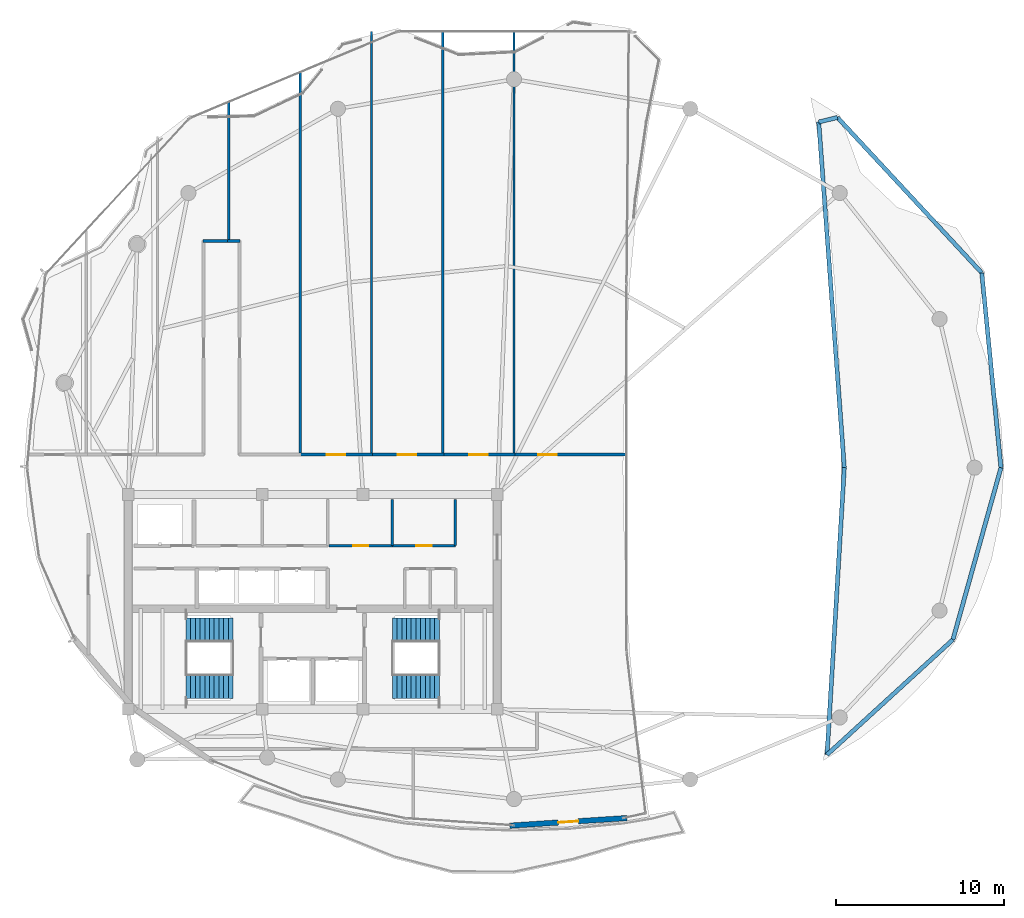
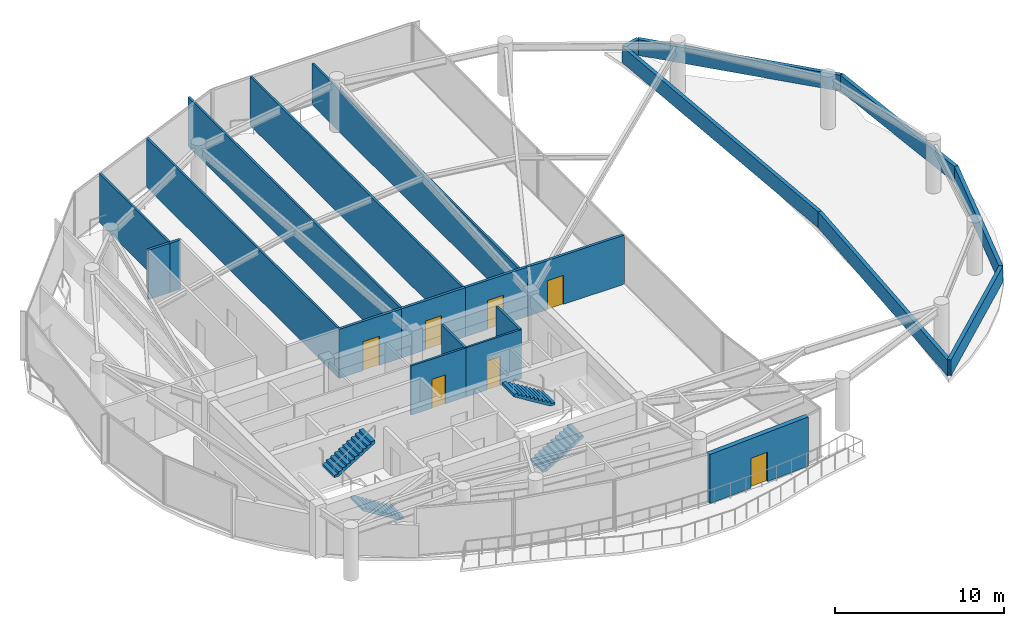
# One storey, part 19 of 22: 23 walls, 7 doors, 4 stair flights, 7 openings, 2 elements without a shape of their own.
"""IFC4 building model written with IfcOpenShell, lengths in metres."""

from ifc_helpers import new_model, si_unit, direction, frame, frame_2d, origin, place, context, subcontext, project, spatial, polyline, rectangle, outline, extrude, material, layer, layer_set, type_object, element, fill, aggregate, save


model = new_model("IFC4")

# Units and contexts
model_context = context("Model", 3, precision=1e-05, world=origin(), true_north=direction((0.0, 1.0)))
body_context = subcontext(model_context, "Body", "Model", "MODEL_VIEW")
ifc_project = project(units=[si_unit("LENGTHUNIT", "METRE"), si_unit("AREAUNIT", "SQUARE_METRE"), si_unit("VOLUMEUNIT", "CUBIC_METRE"), si_unit("PLANEANGLEUNIT", "RADIAN"), si_unit("MASSUNIT", "GRAM", prefix="KILO")], contexts=[model_context])

# Site, building, storey
site_placement = place(None, origin())
site = spatial("IfcSite", under=ifc_project, at=site_placement, CompositionType="ELEMENT")
building_placement = place(site_placement, origin())
building = spatial("IfcBuilding", under=site, at=building_placement, Name="Kazevale Care Tower and Concert Hall", CompositionType="ELEMENT")
storey_placement = place(building_placement, frame((0.0, 0.0, 273.800048828125)))
storey = spatial("IfcBuildingStorey", under=building, at=storey_placement, Name="L72", CompositionType="ELEMENT", Elevation=273.800048828125)

# Wall, opening, door
ifc_material_1 = material(Name="Acoustic Gypsum on Steel Stud", Category="steel")
ifc_layer_1 = layer(ifc_material_1, 0.139892578125)
ifc_layer_set_1 = layer_set([ifc_layer_1], Name="Acoustic Gypsum on Steel Stud")
wall_type_1 = type_object("IfcWallType", Name="Acoustic Care & Suite Partition 140", PredefinedType="PARTITIONING", material=ifc_layer_set_1)
wall_1_placement = place(storey_placement, frame((33.97998046875, 33.35009765625, 0.0), z_axis=(0.0, 0.0, 1.0), x_axis=(1.0, 0.0, 0.0)))
wall_1 = element("IfcWall", 1, at=wall_1_placement, inside=storey, type_object=wall_type_1, Name="wall:L72:c_rpm1_s", PredefinedType="PARTITIONING", context=body_context, shape_type="SweptSolid", body=[
    extrude(rectangle(XDim=3.77001953125, YDim=0.139892578125, at=frame_2d((1.885009765625, 0.0))), origin(), (0.0, 0.0, 1.0), 3.56005859375),
])
opening_1_placement = place(wall_1_placement, frame((1.425048828125, 0.0, 0.0)))
opening_1 = element("IfcOpeningElement", 2, at=opening_1_placement, cuts=wall_1, Name="Opening ID-900", PredefinedType="OPENING", context=body_context, shape_type="SweptSolid", body=[
    extrude(rectangle(XDim=0.919921875, YDim=2.10009765625, at=frame_2d((0.4599609375, 1.050048828125))), frame((0.0, 0.079833984375, 0.0), z_axis=(0.0, -1.0, 0.0), x_axis=(1.0, 0.0, 0.0)), (0.0, 0.0, 1.0), 0.159912109375),
])
ifc_material_2 = material(Name="Oak Timber Fire Leaf", Category="wood")
door_type_1 = type_object("IfcDoorType", Name="Bathroom & Service Door 920x2100", OperationType="NOTDEFINED", PredefinedType="DOOR", material=ifc_material_2)
door_1_placement = place(opening_1_placement, origin())
door_1 = element("IfcDoor", 3, at=door_1_placement, inside=storey, type_object=door_type_1, Name="door:L72:d_rpm1", OperationType="SINGLE_SWING_LEFT", OverallHeight=2.10009765625, OverallWidth=0.919921875, PredefinedType="DOOR", context=body_context, shape_type="SweptSolid", body=[
    extrude(rectangle(XDim=0.919921875, YDim=2.10009765625, at=frame_2d((0.4599609375, 1.050048828125))), frame((0.0, 0.02490234375, 0.0), z_axis=(0.0, -1.0, 0.0), x_axis=(1.0, 0.0, 0.0)), (0.0, 0.0, 1.0), 0.050048828125),
])
fill(opening_1, door_1)

wall_2_placement = place(storey_placement, frame((37.75, 33.35009765625, 0.0), z_axis=(0.0, 0.0, 1.0), x_axis=(1.0, 0.0, 0.0)))
wall_2 = element("IfcWall", 4, at=wall_2_placement, inside=storey, type_object=wall_type_1, Name="wall:L72:c_rpm2_s", PredefinedType="PARTITIONING", context=body_context, shape_type="SweptSolid", body=[
    extrude(rectangle(XDim=3.77001953125, YDim=0.139892578125, at=frame_2d((1.885009765625, 0.0))), origin(), (0.0, 0.0, 1.0), 3.56005859375),
])
opening_2_placement = place(wall_2_placement, frame((1.425048828125, 0.0, 0.0)))
opening_2 = element("IfcOpeningElement", 5, at=opening_2_placement, cuts=wall_2, Name="Opening ID-900", PredefinedType="OPENING", context=body_context, shape_type="SweptSolid", body=[
    extrude(rectangle(XDim=0.919921875, YDim=2.10009765625, at=frame_2d((0.4599609375, 1.050048828125))), frame((0.0, 0.079833984375, 0.0), z_axis=(0.0, -1.0, 0.0), x_axis=(1.0, 0.0, 0.0)), (0.0, 0.0, 1.0), 0.159912109375),
])
door_2_placement = place(opening_2_placement, origin())
door_2 = element("IfcDoor", 6, at=door_2_placement, inside=storey, type_object=door_type_1, Name="door:L72:d_rpm2", OperationType="SINGLE_SWING_RIGHT", OverallHeight=2.10009765625, OverallWidth=0.919921875, PredefinedType="DOOR", context=body_context, shape_type="SweptSolid", body=[
    extrude(rectangle(XDim=0.919921875, YDim=2.10009765625, at=frame_2d((0.4599609375, 1.050048828125))), frame((0.0, 0.02490234375, 0.0), z_axis=(0.0, -1.0, 0.0), x_axis=(1.0, 0.0, 0.0)), (0.0, 0.0, 1.0), 0.050048828125),
])
fill(opening_2, door_2)

# Walls
for number, where, z_axis, x_axis, name in (
    (7, (37.75, 33.35009765625, 0.0), (0.0, 0.0, 1.0), (0.0, 1.0, 0.0), "wall:L72:c_rpm_m"),
    (8, (41.5, 33.35009765625, 0.0), (0.0, 0.0, 1.0), (0.0, 1.0, 0.0), "wall:L72:c_rpm_e"),
):
    element("IfcWall", number, at=place(storey_placement, frame(where, z_axis=z_axis, x_axis=x_axis)), inside=storey, type_object=wall_type_1, Name=name, PredefinedType="PARTITIONING", context=body_context, shape_type="SweptSolid", body=[
        extrude(rectangle(XDim=2.75, YDim=0.139892578125, at=frame_2d((1.375, 0.0))), origin(), (0.0, 0.0, 1.0), 3.56005859375),
    ])
wall_3_placement = place(storey_placement, frame((28.0, 59.787109375, 0.0), z_axis=(0.0, 0.0, 1.0), x_axis=(0.0, -1.0, 0.0)))
element("IfcWall", 9, at=wall_3_placement, inside=storey, type_object=wall_type_1, Name="wall:L72:auto_019", PredefinedType="PARTITIONING", context=body_context, shape_type="SweptSolid", body=[
    extrude(rectangle(XDim=8.317138671875, YDim=0.139892578125, at=frame_2d((4.15869140625, 0.0))), origin(), (0.0, 0.0, 1.0), 3.56005859375),
])
wall_4_placement = place(storey_placement, frame((32.25, 61.558349609375, 0.0), z_axis=(0.0, 0.0, 1.0), x_axis=(0.0, -1.0, 0.0)))
element("IfcWall", 10, at=wall_4_placement, inside=storey, type_object=wall_type_1, Name="wall:L72:auto_020", PredefinedType="PARTITIONING", context=body_context, shape_type="SweptSolid", body=[
    extrude(rectangle(XDim=22.813232421875, YDim=0.139892578125, at=frame_2d((11.40673828125, 0.0))), origin(), (0.0, 0.0, 1.0), 3.56005859375),
])
wall_5_placement = place(storey_placement, frame((36.5, 63.98193359375, 0.0), z_axis=(0.0, 0.0, 1.0), x_axis=(0.0, -1.0, 0.0)))
element("IfcWall", 11, at=wall_5_placement, inside=storey, type_object=wall_type_1, Name="wall:L72:auto_021", PredefinedType="PARTITIONING", context=body_context, shape_type="SweptSolid", body=[
    extrude(rectangle(XDim=25.23681640625, YDim=0.139892578125, at=frame_2d((12.618408203125, 0.0))), origin(), (0.0, 0.0, 1.0), 3.56005859375),
])
wall_6_placement = place(storey_placement, frame((40.75, 63.981689453125, 0.0), z_axis=(0.0, 0.0, 1.0), x_axis=(0.0, -1.0, 0.0)))
element("IfcWall", 12, at=wall_6_placement, inside=storey, type_object=wall_type_1, Name="wall:L72:auto_022", PredefinedType="PARTITIONING", context=body_context, shape_type="SweptSolid", body=[
    extrude(rectangle(XDim=25.236572265625, YDim=0.139892578125, at=frame_2d((12.6181640625, 0.0))), origin(), (0.0, 0.0, 1.0), 3.56005859375),
])
wall_7_placement = place(storey_placement, frame((45.0, 63.987548828125, 0.0), z_axis=(0.0, 0.0, 1.0), x_axis=(0.0, -1.0, 0.0)))
element("IfcWall", 13, at=wall_7_placement, inside=storey, type_object=wall_type_1, Name="wall:L72:auto_023", PredefinedType="PARTITIONING", context=body_context, shape_type="SweptSolid", body=[
    extrude(rectangle(XDim=25.242431640625, YDim=0.139892578125, at=frame_2d((12.62109375, 0.0))), origin(), (0.0, 0.0, 1.0), 3.005859375),
])
ifc_material_3 = material(Name="Concrete C40 and Acoustic Gypsum", Category="concrete")
ifc_layer_2 = layer(ifc_material_3, 0.179931640625)
ifc_layer_set_2 = layer_set([ifc_layer_2], Name="Concrete C40 and Acoustic Gypsum")
wall_type_2 = type_object("IfcWallType", Name="Fire-Rated Corridor & Party Wall 180", PredefinedType="PARTITIONING", material=ifc_layer_set_2)
wall_8_placement = place(storey_placement, frame((26.469970703125, 51.5, 0.0), z_axis=(0.0, 0.0, 1.0), x_axis=(1.0, 0.0, 0.0)))
element("IfcWall", 14, at=wall_8_placement, inside=storey, type_object=wall_type_2, Name="wall:L72:auto_005", PredefinedType="PARTITIONING", context=body_context, shape_type="SweptSolid", body=[
    extrude(rectangle(XDim=1.594970703125, YDim=0.179931640625, at=frame_2d((0.79736328125, 0.0))), origin(), (0.0, 0.0, 1.0), 3.56005859375),
])
wall_9_placement = place(storey_placement, frame((27.93505859375, 51.5, 0.0), z_axis=(0.0, 0.0, 1.0), x_axis=(1.0, 0.0, 0.0)))
element("IfcWall", 15, at=wall_9_placement, inside=storey, type_object=wall_type_2, Name="wall:L72:auto_008", PredefinedType="PARTITIONING", context=body_context, shape_type="SweptSolid", body=[
    extrude(rectangle(XDim=0.744873046875, YDim=0.179931640625, at=frame_2d((0.37255859375, 0.0))), origin(), (0.0, 0.0, 1.0), 3.56005859375),
])

# Wall, opening, door
wall_10_placement = place(storey_placement, frame((32.18505859375, 38.77490234375, 0.0), z_axis=(0.0, 0.0, 1.0), x_axis=(1.0, 0.0, 0.0)))
wall_10 = element("IfcWall", 16, at=wall_10_placement, inside=storey, type_object=wall_type_2, Name="wall:L72:auto_009", PredefinedType="PARTITIONING", context=body_context, shape_type="SweptSolid", body=[
    extrude(rectangle(XDim=4.3798828125, YDim=0.179931640625, at=frame_2d((2.18994140625, 0.0))), origin(), (0.0, 0.0, 1.0), 3.56005859375),
])
opening_3_placement = place(wall_10_placement, frame((1.639892578125, 0.0, 0.0)))
opening_3 = element("IfcOpeningElement", 17, at=opening_3_placement, cuts=wall_10, Name="Opening ID-1100", PredefinedType="OPENING", context=body_context, shape_type="SweptSolid", body=[
    extrude(rectangle(XDim=1.10009765625, YDim=2.10009765625, at=frame_2d((0.550048828125, 1.050048828125))), frame((0.0, 0.099853515625, 0.0), z_axis=(0.0, -1.0, 0.0), x_axis=(1.0, 0.0, 0.0)), (0.0, 0.0, 1.0), 0.199951171875),
])
door_type_2 = type_object("IfcDoorType", Name="Care Bedroom Accessible Door 1100x2100", OperationType="NOTDEFINED", PredefinedType="DOOR", material=ifc_material_2)
door_3_placement = place(opening_3_placement, origin())
door_3 = element("IfcDoor", 18, at=door_3_placement, inside=storey, type_object=door_type_2, Name="door:L72:ad_009", OperationType="SINGLE_SWING_LEFT", OverallHeight=2.10009765625, OverallWidth=1.10009765625, PredefinedType="DOOR", context=body_context, shape_type="SweptSolid", body=[
    extrude(rectangle(XDim=1.10009765625, YDim=2.10009765625, at=frame_2d((0.550048828125, 1.050048828125))), frame((0.0, 0.02490234375, 0.0), z_axis=(0.0, -1.0, 0.0), x_axis=(1.0, 0.0, 0.0)), (0.0, 0.0, 1.0), 0.050048828125),
])
fill(opening_3, door_3)

wall_11_placement = place(storey_placement, frame((36.43505859375, 38.77490234375, 0.0), z_axis=(0.0, 0.0, 1.0), x_axis=(1.0, 0.0, 0.0)))
wall_11 = element("IfcWall", 19, at=wall_11_placement, inside=storey, type_object=wall_type_2, Name="wall:L72:auto_010", PredefinedType="PARTITIONING", context=body_context, shape_type="SweptSolid", body=[
    extrude(rectangle(XDim=4.3798828125, YDim=0.179931640625, at=frame_2d((2.18994140625, 0.0))), origin(), (0.0, 0.0, 1.0), 3.56005859375),
])
opening_4_placement = place(wall_11_placement, frame((1.639892578125, 0.0, 0.0)))
opening_4 = element("IfcOpeningElement", 20, at=opening_4_placement, cuts=wall_11, Name="Opening ID-1100", PredefinedType="OPENING", context=body_context, shape_type="SweptSolid", body=[
    extrude(rectangle(XDim=1.10009765625, YDim=2.10009765625, at=frame_2d((0.550048828125, 1.050048828125))), frame((0.0, 0.099853515625, 0.0), z_axis=(0.0, -1.0, 0.0), x_axis=(1.0, 0.0, 0.0)), (0.0, 0.0, 1.0), 0.199951171875),
])
door_4_placement = place(opening_4_placement, origin())
door_4 = element("IfcDoor", 21, at=door_4_placement, inside=storey, type_object=door_type_2, Name="door:L72:ad_010", OperationType="SINGLE_SWING_LEFT", OverallHeight=2.10009765625, OverallWidth=1.10009765625, PredefinedType="DOOR", context=body_context, shape_type="SweptSolid", body=[
    extrude(rectangle(XDim=1.10009765625, YDim=2.10009765625, at=frame_2d((0.550048828125, 1.050048828125))), frame((0.0, 0.02490234375, 0.0), z_axis=(0.0, -1.0, 0.0), x_axis=(1.0, 0.0, 0.0)), (0.0, 0.0, 1.0), 0.050048828125),
])
fill(opening_4, door_4)

wall_12_placement = place(storey_placement, frame((40.68505859375, 38.77490234375, 0.0), z_axis=(0.0, 0.0, 1.0), x_axis=(1.0, 0.0, 0.0)))
wall_12 = element("IfcWall", 22, at=wall_12_placement, inside=storey, type_object=wall_type_2, Name="wall:L72:auto_011", PredefinedType="PARTITIONING", context=body_context, shape_type="SweptSolid", body=[
    extrude(rectangle(XDim=4.3798828125, YDim=0.179931640625, at=frame_2d((2.18994140625, 0.0))), origin(), (0.0, 0.0, 1.0), 3.56005859375),
])
opening_5_placement = place(wall_12_placement, frame((1.639892578125, 0.0, 0.0)))
opening_5 = element("IfcOpeningElement", 23, at=opening_5_placement, cuts=wall_12, Name="Opening ID-1100", PredefinedType="OPENING", context=body_context, shape_type="SweptSolid", body=[
    extrude(rectangle(XDim=1.10009765625, YDim=2.10009765625, at=frame_2d((0.550048828125, 1.050048828125))), frame((0.0, 0.099853515625, 0.0), z_axis=(0.0, -1.0, 0.0), x_axis=(1.0, 0.0, 0.0)), (0.0, 0.0, 1.0), 0.199951171875),
])
door_5_placement = place(opening_5_placement, origin())
door_5 = element("IfcDoor", 24, at=door_5_placement, inside=storey, type_object=door_type_2, Name="door:L72:ad_011", OperationType="SINGLE_SWING_LEFT", OverallHeight=2.10009765625, OverallWidth=1.10009765625, PredefinedType="DOOR", context=body_context, shape_type="SweptSolid", body=[
    extrude(rectangle(XDim=1.10009765625, YDim=2.10009765625, at=frame_2d((0.550048828125, 1.050048828125))), frame((0.0, 0.02490234375, 0.0), z_axis=(0.0, -1.0, 0.0), x_axis=(1.0, 0.0, 0.0)), (0.0, 0.0, 1.0), 0.050048828125),
])
fill(opening_5, door_5)

wall_13_placement = place(storey_placement, frame((44.93505859375, 38.77490234375, 0.0), z_axis=(0.0, 0.0, 1.0), x_axis=(1.0, 0.0, 0.0)))
wall_13 = element("IfcWall", 25, at=wall_13_placement, inside=storey, type_object=wall_type_2, Name="wall:L72:auto_012", PredefinedType="PARTITIONING", context=body_context, shape_type="SweptSolid", body=[
    extrude(rectangle(XDim=6.766845703125, YDim=0.179931640625, at=frame_2d((3.38330078125, 0.0))), origin(), (0.0, 0.0, 1.0), 3.56005859375),
])
opening_6_placement = place(wall_13_placement, frame((1.4970703125, 0.0, 0.0)))
opening_6 = element("IfcOpeningElement", 26, at=opening_6_placement, cuts=wall_13, Name="Opening ID-1100", PredefinedType="OPENING", context=body_context, shape_type="SweptSolid", body=[
    extrude(rectangle(XDim=1.10009765625, YDim=2.10009765625, at=frame_2d((0.550048828125, 1.050048828125))), frame((0.0, 0.099853515625, 0.0), z_axis=(0.0, -1.0, 0.0), x_axis=(1.0, 0.0, 0.0)), (0.0, 0.0, 1.0), 0.199951171875),
])
door_6_placement = place(opening_6_placement, origin())
door_6 = element("IfcDoor", 27, at=door_6_placement, inside=storey, type_object=door_type_2, Name="door:L72:ad_012", OperationType="SINGLE_SWING_LEFT", OverallHeight=2.10009765625, OverallWidth=1.10009765625, PredefinedType="DOOR", context=body_context, shape_type="SweptSolid", body=[
    extrude(rectangle(XDim=1.10009765625, YDim=2.10009765625, at=frame_2d((0.550048828125, 1.050048828125))), frame((0.0, 0.02490234375, 0.0), z_axis=(0.0, -1.0, 0.0), x_axis=(1.0, 0.0, 0.0)), (0.0, 0.0, 1.0), 0.050048828125),
])
fill(opening_6, door_6)

# Walls
ifc_material_4 = material(Name="Concrete C40 with Honed Limestone Cladding", Category="masonry")
ifc_layer_3 = layer(ifc_material_4, 0.25)
ifc_layer_set_3 = layer_set([ifc_layer_3], Name="Concrete C40 with Honed Limestone Cladding")
wall_type_3 = type_object("IfcWallType", Name="Roof Limestone Parapet Wall 250", PredefinedType="PARAPET", material=ifc_layer_set_3)
wall_14_placement = place(storey_placement, frame((64.27392578125, 58.8720703125, 0.0), z_axis=(0.0, 0.0, 1.0), x_axis=(0.680514799805, -0.732734336063, 0.0)))
element("IfcWall", 28, at=wall_14_placement, inside=storey, type_object=wall_type_3, Name="wall:L72:pier_par:1", PredefinedType="PARAPET", context=body_context, shape_type="SweptSolid", body=[
    extrude(rectangle(XDim=12.641845703125, YDim=0.25, at=frame_2d((6.32080078125, 0.0))), origin(), (0.0, 0.0, 1.0), 1.14990234375),
])
wall_15_placement = place(storey_placement, frame((72.876953125, 49.60888671875, 0.0), z_axis=(0.0, 0.0, 1.0), x_axis=(0.097990893627, -0.995187311397, 0.0)))
element("IfcWall", 29, at=wall_15_placement, inside=storey, type_object=wall_type_3, Name="wall:L72:pier_par:2", PredefinedType="PARAPET", context=body_context, shape_type="SweptSolid", body=[
    extrude(rectangle(XDim=11.6650390625, YDim=0.25, at=frame_2d((5.83251953125, 0.0))), origin(), (0.0, 0.0, 1.0), 1.14990234375),
])
wall_16_placement = place(storey_placement, frame((74.02001953125, 38.0, 0.0), z_axis=(0.0, 0.0, 1.0), x_axis=(-0.269217194028, -0.96307948916, 0.0)))
element("IfcWall", 30, at=wall_16_placement, inside=storey, type_object=wall_type_3, Name="wall:L72:pier_par:3", PredefinedType="PARAPET", context=body_context, shape_type="SweptSolid", body=[
    extrude(rectangle(XDim=10.641845703125, YDim=0.25, at=frame_2d((5.32080078125, 0.0))), origin(), (0.0, 0.0, 1.0), 1.14990234375),
])
wall_17_placement = place(storey_placement, frame((71.155029296875, 27.7509765625, 0.0), z_axis=(0.0, 0.0, 1.0), x_axis=(-0.738078707826, -0.674714621936, 0.0)))
element("IfcWall", 31, at=wall_17_placement, inside=storey, type_object=wall_type_3, Name="wall:L72:pier_par:4", PredefinedType="PARAPET", context=body_context, shape_type="SweptSolid", body=[
    extrude(rectangle(XDim=10.1640625, YDim=0.25, at=frame_2d((5.08203125, 0.0))), origin(), (0.0, 0.0, 1.0), 1.14990234375),
])
wall_18_placement = place(storey_placement, frame((63.653076171875, 20.89306640625, 0.0), z_axis=(0.0, 0.0, 1.0), x_axis=(0.059917841169, 0.998203312111, 0.0)))
element("IfcWall", 32, at=wall_18_placement, inside=storey, type_object=wall_type_3, Name="wall:L72:pier_par:5", PredefinedType="PARAPET", context=body_context, shape_type="SweptSolid", body=[
    extrude(rectangle(XDim=17.1376953125, YDim=0.25, at=frame_2d((8.56884765625, 0.0))), origin(), (0.0, 0.0, 1.0), 1.14990234375),
])
wall_19_placement = place(storey_placement, frame((64.679931640625, 38.0, 0.0), z_axis=(0.0, 0.0, 1.0), x_axis=(-0.073728016463, 0.997278386203, 0.0)))
element("IfcWall", 33, at=wall_19_placement, inside=storey, type_object=wall_type_3, Name="wall:L72:pier_par:6", PredefinedType="PARAPET", context=body_context, shape_type="SweptSolid", body=[
    extrude(rectangle(XDim=20.65625, YDim=0.25, at=frame_2d((10.328125, 0.0))), origin(), (0.0, 0.0, 1.0), 1.14990234375),
])
wall_20_placement = place(storey_placement, frame((63.156982421875, 58.60009765625, 0.0), z_axis=(0.0, 0.0, 1.0), x_axis=(0.971610893341, 0.236584597854, 0.0)))
element("IfcWall", 34, at=wall_20_placement, inside=storey, type_object=wall_type_3, Name="wall:L72:pier_par:7", PredefinedType="PARAPET", context=body_context, shape_type="SweptSolid", body=[
    extrude(rectangle(XDim=1.149658203125, YDim=0.25, at=frame_2d((0.57470703125, 0.0))), origin(), (0.0, 0.0, 1.0), 1.14990234375),
])

# Wall, opening, door
ifc_layer_4 = layer(ifc_material_4, 0.320068359375)
ifc_layer_set_4 = layer_set([ifc_layer_4], Name="Concrete C40 with Honed Limestone Cladding")
wall_type_4 = type_object("IfcWallType", Name="Tower Honed Limestone Spandrel Wall 320", PredefinedType="STANDARD", material=ifc_layer_set_4)
wall_21_placement = place(storey_placement, frame((51.73291015625, 17.118896484375, 0.0), z_axis=(0.0, 0.0, 1.0), x_axis=(-0.997881827293, -0.065052738278, 0.0)))
wall_21 = element("IfcWall", 35, at=wall_21_placement, inside=storey, type_object=wall_type_4, Name="wall:L72:bal_host", PredefinedType="STANDARD", context=body_context, shape_type="SweptSolid", body=[
    extrude(rectangle(XDim=7.0068359375, YDim=0.320068359375, at=frame_2d((3.50341796875, 0.0))), origin(), (0.0, 0.0, 1.0), 3.56005859375),
])
opening_7_placement = place(wall_21_placement, frame((2.904052734375, 0.0, 0.0)))
opening_7 = element("IfcOpeningElement", 36, at=opening_7_placement, cuts=wall_21, Name="Opening BD-1200", PredefinedType="OPENING", context=body_context, shape_type="SweptSolid", body=[
    extrude(rectangle(XDim=1.199951171875, YDim=2.14990234375, at=frame_2d((0.60009765625, 1.074951171875))), frame((0.0, 0.169921875, 0.0), z_axis=(0.0, -1.0, 0.0), x_axis=(1.0, 0.0, 0.0)), (0.0, 0.0, 1.0), 0.340087890625),
])
ifc_material_5 = material(Name="Aluminium 6063-T6 and Low-E Glass", Category="aluminium")
door_type_3 = type_object("IfcDoorType", Name="Sheltered Balcony Glazed Door 1200x2150", OperationType="NOTDEFINED", PredefinedType="DOOR", material=ifc_material_5)
door_7_placement = place(opening_7_placement, origin())
door_7 = element("IfcDoor", 37, at=door_7_placement, inside=storey, type_object=door_type_3, Name="door:L72:BD-1", OperationType="SINGLE_SWING_LEFT", OverallHeight=2.14990234375, OverallWidth=1.199951171875, PredefinedType="DOOR", context=body_context, shape_type="SweptSolid", body=[
    extrude(rectangle(XDim=1.199951171875, YDim=2.14990234375, at=frame_2d((0.60009765625, 1.074951171875))), frame((0.0, 0.02490234375, 0.0), z_axis=(0.0, -1.0, 0.0), x_axis=(1.0, 0.0, 0.0)), (0.0, 0.0, 1.0), 0.050048828125),
])
fill(opening_7, door_7)

# Stair, stair flights
ifc_material_6 = material(Name="Concrete C40", Category="concrete")
stair_type = type_object("IfcStairType", Name="Exit Stair Assembly ST1-U", PredefinedType="HALF_TURN_STAIR", material=ifc_material_6)
stair_1_placement = place(storey_placement, origin())
stair_1 = element("IfcStair", 38, at=stair_1_placement, inside=storey, type_object=stair_type, Name="stair:L72:ST1", PredefinedType="HALF_TURN_STAIR")
ifc_layer_5 = layer(ifc_material_6, 0.159912109375)
ifc_layer_set_5 = layer_set([ifc_layer_5], Name="Concrete C40")
stair_flight_type = type_object("IfcStairFlightType", Name="Exit Stair Flight ST1-U", PredefinedType="STRAIGHT", material=ifc_layer_set_5)
stair_flight_1_placement = place(storey_placement, frame((28.25, 24.969970703125, 0.0), z_axis=(0.0, 0.0, 1.0), x_axis=(-1.0, 0.0, 0.0)))
stair_flight_1 = element("IfcStairFlight", 39, at=stair_flight_1_placement, type_object=stair_flight_type, Name="ST1-U flight 1", NumberOfRisers=11, NumberOfTreads=10, PredefinedType="STRAIGHT", RiserHeight=0.172727, TreadLength=0.28, context=body_context, shape_type="SweptSolid", body=[
    extrude(outline(polyline([(0.0, 0.0), (0.0, 0.172607421875), (0.280029296875, 0.172607421875), (0.280029296875, 0.345458984375), (0.56005859375, 0.345458984375), (0.56005859375, 0.51806640625), (0.840087890625, 0.51806640625), (0.840087890625, 0.69091796875), (1.1201171875, 0.69091796875), (1.1201171875, 0.863525390625), (1.39990234375, 0.863525390625), (1.39990234375, 1.036376953125), (1.679931640625, 1.036376953125), (1.679931640625, 1.208984375), (1.9599609375, 1.208984375), (1.9599609375, 1.3818359375), (2.239990234375, 1.3818359375), (2.239990234375, 1.554443359375), (2.52001953125, 1.554443359375), (2.52001953125, 1.727294921875), (2.800048828125, 1.727294921875), (2.800048828125, 1.89990234375), (2.800048828125, 1.539306640625), (0.3046875, 0.0), (0.0, 0.0)])), frame((0.0, 0.719970703125, 0.0), z_axis=(0.0, -1.0, 0.0), x_axis=(1.0, 0.0, 0.0)), (0.0, 0.0, 1.0), 1.43994140625),
])
stair_flight_2_placement = place(storey_placement, frame((25.449951171875, 28.330078125, 1.89990234375), z_axis=(0.0, 0.0, 1.0), x_axis=(1.0, 0.0, 0.0)))
stair_flight_2 = element("IfcStairFlight", 40, at=stair_flight_2_placement, type_object=stair_flight_type, Name="ST1-U flight 2", NumberOfRisers=11, NumberOfTreads=10, PredefinedType="STRAIGHT", RiserHeight=0.172727, TreadLength=0.28, context=body_context, shape_type="SweptSolid", body=[
    extrude(outline(polyline([(0.0, 0.0), (0.0, 0.172607421875), (0.280029296875, 0.172607421875), (0.280029296875, 0.345458984375), (0.56005859375, 0.345458984375), (0.56005859375, 0.51806640625), (0.840087890625, 0.51806640625), (0.840087890625, 0.69091796875), (1.1201171875, 0.69091796875), (1.1201171875, 0.863525390625), (1.39990234375, 0.863525390625), (1.39990234375, 1.036376953125), (1.679931640625, 1.036376953125), (1.679931640625, 1.208984375), (1.9599609375, 1.208984375), (1.9599609375, 1.3818359375), (2.239990234375, 1.3818359375), (2.239990234375, 1.554443359375), (2.52001953125, 1.554443359375), (2.52001953125, 1.727294921875), (2.800048828125, 1.727294921875), (2.800048828125, 1.89990234375), (2.800048828125, 1.539306640625), (0.3046875, 0.0), (0.0, 0.0)])), frame((0.0, 0.719970703125, 0.0), z_axis=(0.0, -1.0, 0.0), x_axis=(1.0, 0.0, 0.0)), (0.0, 0.0, 1.0), 1.43994140625),
])
aggregate(stair_1, [stair_flight_1, stair_flight_2])

stair_2_placement = place(storey_placement, origin())
stair_2 = element("IfcStair", 41, at=stair_2_placement, inside=storey, type_object=stair_type, Name="stair:L72:ST2", PredefinedType="HALF_TURN_STAIR")
stair_flight_3_placement = place(storey_placement, frame((37.75, 24.969970703125, 0.0), z_axis=(0.0, 0.0, 1.0), x_axis=(1.0, 0.0, 0.0)))
stair_flight_3 = element("IfcStairFlight", 42, at=stair_flight_3_placement, type_object=stair_flight_type, Name="ST1-U flight 1", NumberOfRisers=11, NumberOfTreads=10, PredefinedType="STRAIGHT", RiserHeight=0.172727, TreadLength=0.28, context=body_context, shape_type="SweptSolid", body=[
    extrude(outline(polyline([(0.0, 0.0), (0.0, 0.172607421875), (0.280029296875, 0.172607421875), (0.280029296875, 0.345458984375), (0.56005859375, 0.345458984375), (0.56005859375, 0.51806640625), (0.840087890625, 0.51806640625), (0.840087890625, 0.69091796875), (1.1201171875, 0.69091796875), (1.1201171875, 0.863525390625), (1.39990234375, 0.863525390625), (1.39990234375, 1.036376953125), (1.679931640625, 1.036376953125), (1.679931640625, 1.208984375), (1.9599609375, 1.208984375), (1.9599609375, 1.3818359375), (2.239990234375, 1.3818359375), (2.239990234375, 1.554443359375), (2.52001953125, 1.554443359375), (2.52001953125, 1.727294921875), (2.800048828125, 1.727294921875), (2.800048828125, 1.89990234375), (2.800048828125, 1.539306640625), (0.3046875, 0.0), (0.0, 0.0)])), frame((0.0, 0.719970703125, 0.0), z_axis=(0.0, -1.0, 0.0), x_axis=(1.0, 0.0, 0.0)), (0.0, 0.0, 1.0), 1.43994140625),
])
stair_flight_4_placement = place(storey_placement, frame((40.550048828125, 28.330078125, 1.89990234375), z_axis=(0.0, 0.0, 1.0), x_axis=(-1.0, 0.0, 0.0)))
stair_flight_4 = element("IfcStairFlight", 43, at=stair_flight_4_placement, type_object=stair_flight_type, Name="ST1-U flight 2", NumberOfRisers=11, NumberOfTreads=10, PredefinedType="STRAIGHT", RiserHeight=0.172727, TreadLength=0.28, context=body_context, shape_type="SweptSolid", body=[
    extrude(outline(polyline([(0.0, 0.0), (0.0, 0.172607421875), (0.280029296875, 0.172607421875), (0.280029296875, 0.345458984375), (0.56005859375, 0.345458984375), (0.56005859375, 0.51806640625), (0.840087890625, 0.51806640625), (0.840087890625, 0.69091796875), (1.1201171875, 0.69091796875), (1.1201171875, 0.863525390625), (1.39990234375, 0.863525390625), (1.39990234375, 1.036376953125), (1.679931640625, 1.036376953125), (1.679931640625, 1.208984375), (1.9599609375, 1.208984375), (1.9599609375, 1.3818359375), (2.239990234375, 1.3818359375), (2.239990234375, 1.554443359375), (2.52001953125, 1.554443359375), (2.52001953125, 1.727294921875), (2.800048828125, 1.727294921875), (2.800048828125, 1.89990234375), (2.800048828125, 1.539306640625), (0.3046875, 0.0), (0.0, 0.0)])), frame((0.0, 0.719970703125, 0.0), z_axis=(0.0, -1.0, 0.0), x_axis=(1.0, 0.0, 0.0)), (0.0, 0.0, 1.0), 1.43994140625),
])
aggregate(stair_2, [stair_flight_3, stair_flight_4])

save(model, "model.ifc")
